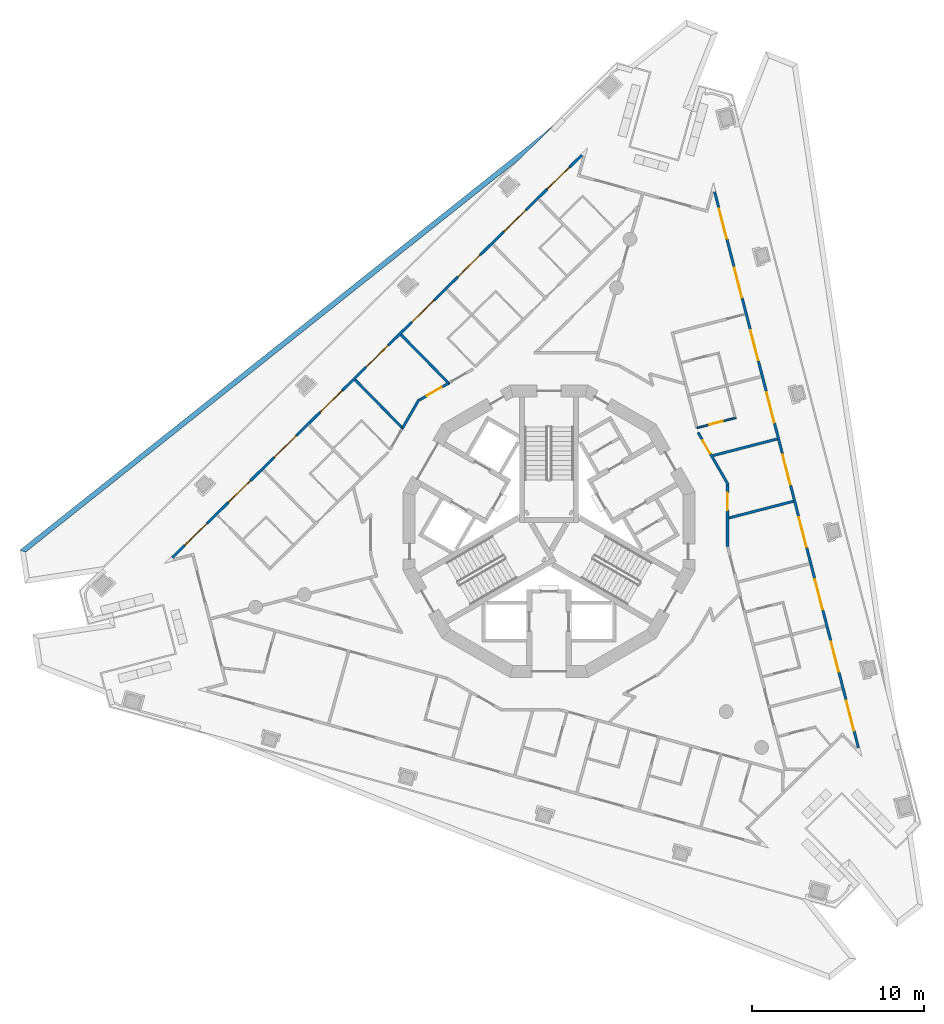
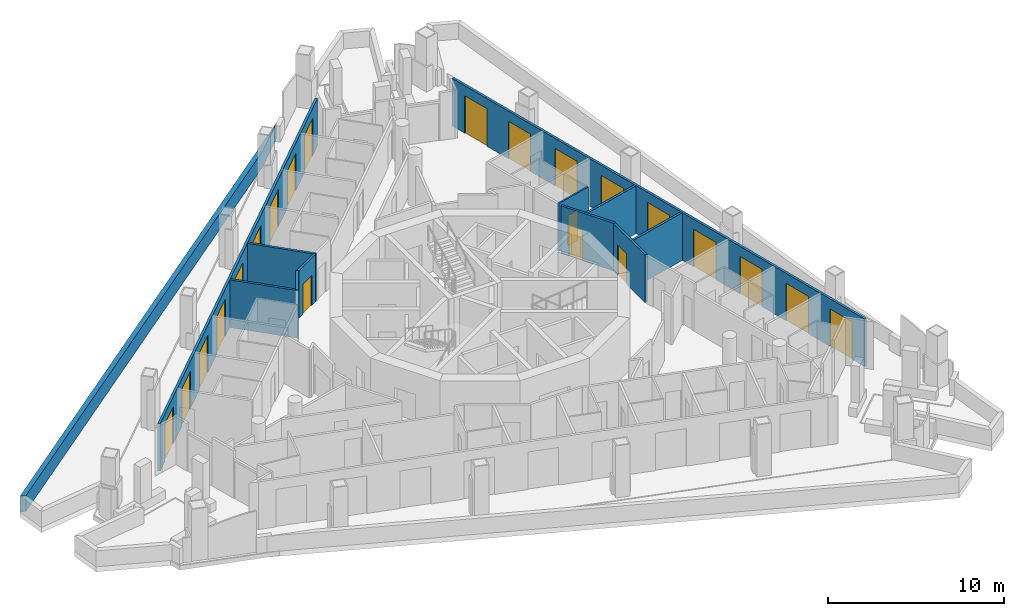
# One storey, part 7 of 14: 22 doors, 12 walls, 22 openings.
"""IFC4 building model written with IfcOpenShell, lengths in metres."""

from ifc_helpers import new_model, si_unit, direction, frame, frame_2d, origin, place, context, subcontext, project, spatial, polyline, rectangle, outline, extrude, material, layer, layer_set, type_object, element, fill, save


model = new_model("IFC4")

# Units and contexts
model_context = context("Model", 3, precision=1e-05, world=origin(), true_north=direction((0.0, 1.0)))
body_context = subcontext(model_context, "Body", "Model", "MODEL_VIEW")
ifc_project = project(units=[si_unit("LENGTHUNIT", "METRE"), si_unit("AREAUNIT", "SQUARE_METRE"), si_unit("VOLUMEUNIT", "CUBIC_METRE"), si_unit("PLANEANGLEUNIT", "RADIAN"), si_unit("MASSUNIT", "GRAM", prefix="KILO")], contexts=[model_context])

# Site, building, storey
site_placement = place(None, origin())
site = spatial("IfcSite", under=ifc_project, at=site_placement, CompositionType="ELEMENT")
building_placement = place(site_placement, origin())
building = spatial("IfcBuilding", under=site, at=building_placement, Name="Trine Commons Tower", CompositionType="ELEMENT")
storey_placement = place(building_placement, frame((0.0, 0.0, 234.89990234375)))
storey = spatial("IfcBuildingStorey", under=building, at=storey_placement, Name="L61", CompositionType="ELEMENT", Elevation=234.89990234375)

# Wall, openings, doors
ifc_material_1 = material(Name="Aluminium-framed insulated wall panel", Category="aluminium")
ifc_layer_1 = layer(ifc_material_1, 0.14990234375)
ifc_layer_set_1 = layer_set([ifc_layer_1], Name="Aluminium-framed insulated wall panel")
wall_type_1 = type_object("IfcWallType", Name="Glazed frame wall 150, EI 60", PredefinedType="SOLIDWALL", material=ifc_layer_set_1)
wall_1_placement = place(storey_placement, frame((57.98974609375, 60.867431640625, 0.0), z_axis=(0.0, 0.0, 1.0), x_axis=(0.713254682671, 0.700904956216, 0.0)))
wall_1 = element("IfcWall", 1, at=wall_1_placement, inside=storey, type_object=wall_type_1, Name="Glazed frame wall F1", PredefinedType="SOLIDWALL", context=body_context, shape_type="SweptSolid", body=[
    extrude(outline(polyline([(0.1494140625, 0.074951171875), (0.1494140625, -0.074951171875), (33.536865234375, -0.074951171875), (33.536865234375, 0.074951171875), (0.1494140625, 0.074951171875)])), origin(), (0.0, 0.0, 1.0), 3.300048828125),
])
opening_1_placement = place(wall_1_placement, frame((1.17138671875, 0.0, 0.0)))
opening_1 = element("IfcOpeningElement", 2, at=opening_1_placement, cuts=wall_1, Name="Opening BD-7F1-01", PredefinedType="OPENING", context=body_context, shape_type="SweptSolid", body=[
    extrude(rectangle(XDim=1.800048828125, YDim=2.60009765625, at=frame_2d((0.89990234375, 1.300048828125))), frame((0.0, 0.0849609375, 0.0), z_axis=(0.0, -1.0, 0.0), x_axis=(1.0, 0.0, 0.0)), (0.0, 0.0, 1.0), 0.169921875),
])
opening_2_placement = place(wall_1_placement, frame((4.71435546875, 0.0, 0.0)))
opening_2 = element("IfcOpeningElement", 3, at=opening_2_placement, cuts=wall_1, Name="Opening BD-7F1-02", PredefinedType="OPENING", context=body_context, shape_type="SweptSolid", body=[
    extrude(rectangle(XDim=1.800048828125, YDim=2.60009765625, at=frame_2d((0.89990234375, 1.300048828125))), frame((0.0, 0.0849609375, 0.0), z_axis=(0.0, -1.0, 0.0), x_axis=(1.0, 0.0, 0.0)), (0.0, 0.0, 1.0), 0.169921875),
])
opening_3_placement = place(wall_1_placement, frame((8.457275390625, 0.0, 0.0)))
opening_3 = element("IfcOpeningElement", 4, at=opening_3_placement, cuts=wall_1, Name="Opening BD-7F1-03", PredefinedType="OPENING", context=body_context, shape_type="SweptSolid", body=[
    extrude(rectangle(XDim=1.800048828125, YDim=2.60009765625, at=frame_2d((0.89990234375, 1.300048828125))), frame((0.0, 0.0849609375, 0.0), z_axis=(0.0, -1.0, 0.0), x_axis=(1.0, 0.0, 0.0)), (0.0, 0.0, 1.0), 0.169921875),
])
opening_4_placement = place(wall_1_placement, frame((12.2001953125, 0.0, 0.0)))
opening_4 = element("IfcOpeningElement", 5, at=opening_4_placement, cuts=wall_1, Name="Opening BD-7F1-04", PredefinedType="OPENING", context=body_context, shape_type="SweptSolid", body=[
    extrude(rectangle(XDim=1.800048828125, YDim=2.60009765625, at=frame_2d((0.89990234375, 1.300048828125))), frame((0.0, 0.0849609375, 0.0), z_axis=(0.0, -1.0, 0.0), x_axis=(1.0, 0.0, 0.0)), (0.0, 0.0, 1.0), 0.169921875),
])
opening_5_placement = place(wall_1_placement, frame((15.943115234375, 0.0, 0.0)))
opening_5 = element("IfcOpeningElement", 6, at=opening_5_placement, cuts=wall_1, Name="Opening BD-7F1-05", PredefinedType="OPENING", context=body_context, shape_type="SweptSolid", body=[
    extrude(rectangle(XDim=1.800048828125, YDim=2.60009765625, at=frame_2d((0.89990234375, 1.300048828125))), frame((0.0, 0.0849609375, 0.0), z_axis=(0.0, -1.0, 0.0), x_axis=(1.0, 0.0, 0.0)), (0.0, 0.0, 1.0), 0.169921875),
])
opening_6_placement = place(wall_1_placement, frame((19.68603515625, 0.0, 0.0)))
opening_6 = element("IfcOpeningElement", 7, at=opening_6_placement, cuts=wall_1, Name="Opening BD-7F1-06", PredefinedType="OPENING", context=body_context, shape_type="SweptSolid", body=[
    extrude(rectangle(XDim=1.800048828125, YDim=2.60009765625, at=frame_2d((0.89990234375, 1.300048828125))), frame((0.0, 0.0849609375, 0.0), z_axis=(0.0, -1.0, 0.0), x_axis=(1.0, 0.0, 0.0)), (0.0, 0.0, 1.0), 0.169921875),
])
opening_7_placement = place(wall_1_placement, frame((23.428955078125, 0.0, 0.0)))
opening_7 = element("IfcOpeningElement", 8, at=opening_7_placement, cuts=wall_1, Name="Opening BD-7F1-07", PredefinedType="OPENING", context=body_context, shape_type="SweptSolid", body=[
    extrude(rectangle(XDim=1.800048828125, YDim=2.60009765625, at=frame_2d((0.89990234375, 1.300048828125))), frame((0.0, 0.0849609375, 0.0), z_axis=(0.0, -1.0, 0.0), x_axis=(1.0, 0.0, 0.0)), (0.0, 0.0, 1.0), 0.169921875),
])
opening_8_placement = place(wall_1_placement, frame((27.171875, 0.0, 0.0)))
opening_8 = element("IfcOpeningElement", 9, at=opening_8_placement, cuts=wall_1, Name="Opening BD-7F1-08", PredefinedType="OPENING", context=body_context, shape_type="SweptSolid", body=[
    extrude(rectangle(XDim=1.800048828125, YDim=2.60009765625, at=frame_2d((0.89990234375, 1.300048828125))), frame((0.0, 0.0849609375, 0.0), z_axis=(0.0, -1.0, 0.0), x_axis=(1.0, 0.0, 0.0)), (0.0, 0.0, 1.0), 0.169921875),
])
opening_9_placement = place(wall_1_placement, frame((30.714599609375, 0.0, 0.0)))
opening_9 = element("IfcOpeningElement", 10, at=opening_9_placement, cuts=wall_1, Name="Opening BD-7F1-09", PredefinedType="OPENING", context=body_context, shape_type="SweptSolid", body=[
    extrude(rectangle(XDim=1.800048828125, YDim=2.60009765625, at=frame_2d((0.89990234375, 1.300048828125))), frame((0.0, 0.0849609375, 0.0), z_axis=(0.0, -1.0, 0.0), x_axis=(1.0, 0.0, 0.0)), (0.0, 0.0, 1.0), 0.169921875),
])
ifc_material_2 = material(Name="Anodised aluminium frame with double glazing", Category="aluminium")
door_type_1 = type_object("IfcDoorType", Name="Sliding loggia door 1800x2600", OperationType="SLIDING_TO_LEFT", PredefinedType="DOOR", material=ifc_material_2)
door_1_placement = place(opening_1_placement, origin())
door_1 = element("IfcDoor", 11, at=door_1_placement, inside=storey, type_object=door_type_1, Name="Loggia door F1 1", OperationType="SLIDING_TO_LEFT", OverallHeight=2.60009765625, OverallWidth=1.800048828125, PredefinedType="DOOR", context=body_context, shape_type="SweptSolid", body=[
    extrude(rectangle(XDim=1.800048828125, YDim=2.60009765625, at=frame_2d((0.89990234375, 1.300048828125))), frame((0.0, 0.02490234375, 0.0), z_axis=(0.0, -1.0, 0.0), x_axis=(1.0, 0.0, 0.0)), (0.0, 0.0, 1.0), 0.050048828125),
])
fill(opening_1, door_1)
door_2_placement = place(opening_2_placement, origin())
door_2 = element("IfcDoor", 12, at=door_2_placement, inside=storey, type_object=door_type_1, Name="Loggia door F1 2", OperationType="SLIDING_TO_LEFT", OverallHeight=2.60009765625, OverallWidth=1.800048828125, PredefinedType="DOOR", context=body_context, shape_type="SweptSolid", body=[
    extrude(rectangle(XDim=1.800048828125, YDim=2.60009765625, at=frame_2d((0.89990234375, 1.300048828125))), frame((0.0, 0.02490234375, 0.0), z_axis=(0.0, -1.0, 0.0), x_axis=(1.0, 0.0, 0.0)), (0.0, 0.0, 1.0), 0.050048828125),
])
fill(opening_2, door_2)
door_3_placement = place(opening_3_placement, origin())
door_3 = element("IfcDoor", 13, at=door_3_placement, inside=storey, type_object=door_type_1, Name="Loggia door F1 3", OperationType="SLIDING_TO_LEFT", OverallHeight=2.60009765625, OverallWidth=1.800048828125, PredefinedType="DOOR", context=body_context, shape_type="SweptSolid", body=[
    extrude(rectangle(XDim=1.800048828125, YDim=2.60009765625, at=frame_2d((0.89990234375, 1.300048828125))), frame((0.0, 0.02490234375, 0.0), z_axis=(0.0, -1.0, 0.0), x_axis=(1.0, 0.0, 0.0)), (0.0, 0.0, 1.0), 0.050048828125),
])
fill(opening_3, door_3)
door_4_placement = place(opening_4_placement, origin())
door_4 = element("IfcDoor", 14, at=door_4_placement, inside=storey, type_object=door_type_1, Name="Loggia door F1 4", OperationType="SLIDING_TO_LEFT", OverallHeight=2.60009765625, OverallWidth=1.800048828125, PredefinedType="DOOR", context=body_context, shape_type="SweptSolid", body=[
    extrude(rectangle(XDim=1.800048828125, YDim=2.60009765625, at=frame_2d((0.89990234375, 1.300048828125))), frame((0.0, 0.02490234375, 0.0), z_axis=(0.0, -1.0, 0.0), x_axis=(1.0, 0.0, 0.0)), (0.0, 0.0, 1.0), 0.050048828125),
])
fill(opening_4, door_4)
door_5_placement = place(opening_5_placement, origin())
door_5 = element("IfcDoor", 15, at=door_5_placement, inside=storey, type_object=door_type_1, Name="Loggia door F1 5", OperationType="SLIDING_TO_LEFT", OverallHeight=2.60009765625, OverallWidth=1.800048828125, PredefinedType="DOOR", context=body_context, shape_type="SweptSolid", body=[
    extrude(rectangle(XDim=1.800048828125, YDim=2.60009765625, at=frame_2d((0.89990234375, 1.300048828125))), frame((0.0, 0.02490234375, 0.0), z_axis=(0.0, -1.0, 0.0), x_axis=(1.0, 0.0, 0.0)), (0.0, 0.0, 1.0), 0.050048828125),
])
fill(opening_5, door_5)
door_6_placement = place(opening_6_placement, origin())
door_6 = element("IfcDoor", 16, at=door_6_placement, inside=storey, type_object=door_type_1, Name="Loggia door F1 6", OperationType="SLIDING_TO_LEFT", OverallHeight=2.60009765625, OverallWidth=1.800048828125, PredefinedType="DOOR", context=body_context, shape_type="SweptSolid", body=[
    extrude(rectangle(XDim=1.800048828125, YDim=2.60009765625, at=frame_2d((0.89990234375, 1.300048828125))), frame((0.0, 0.02490234375, 0.0), z_axis=(0.0, -1.0, 0.0), x_axis=(1.0, 0.0, 0.0)), (0.0, 0.0, 1.0), 0.050048828125),
])
fill(opening_6, door_6)
door_7_placement = place(opening_7_placement, origin())
door_7 = element("IfcDoor", 17, at=door_7_placement, inside=storey, type_object=door_type_1, Name="Loggia door F1 7", OperationType="SLIDING_TO_LEFT", OverallHeight=2.60009765625, OverallWidth=1.800048828125, PredefinedType="DOOR", context=body_context, shape_type="SweptSolid", body=[
    extrude(rectangle(XDim=1.800048828125, YDim=2.60009765625, at=frame_2d((0.89990234375, 1.300048828125))), frame((0.0, 0.02490234375, 0.0), z_axis=(0.0, -1.0, 0.0), x_axis=(1.0, 0.0, 0.0)), (0.0, 0.0, 1.0), 0.050048828125),
])
fill(opening_7, door_7)
door_8_placement = place(opening_8_placement, origin())
door_8 = element("IfcDoor", 18, at=door_8_placement, inside=storey, type_object=door_type_1, Name="Loggia door F1 8", OperationType="SLIDING_TO_LEFT", OverallHeight=2.60009765625, OverallWidth=1.800048828125, PredefinedType="DOOR", context=body_context, shape_type="SweptSolid", body=[
    extrude(rectangle(XDim=1.800048828125, YDim=2.60009765625, at=frame_2d((0.89990234375, 1.300048828125))), frame((0.0, 0.02490234375, 0.0), z_axis=(0.0, -1.0, 0.0), x_axis=(1.0, 0.0, 0.0)), (0.0, 0.0, 1.0), 0.050048828125),
])
fill(opening_8, door_8)
door_9_placement = place(opening_9_placement, origin())
door_9 = element("IfcDoor", 19, at=door_9_placement, inside=storey, type_object=door_type_1, Name="Loggia door F1 9", OperationType="SLIDING_TO_LEFT", OverallHeight=2.60009765625, OverallWidth=1.800048828125, PredefinedType="DOOR", context=body_context, shape_type="SweptSolid", body=[
    extrude(rectangle(XDim=1.800048828125, YDim=2.60009765625, at=frame_2d((0.89990234375, 1.300048828125))), frame((0.0, 0.02490234375, 0.0), z_axis=(0.0, -1.0, 0.0), x_axis=(1.0, 0.0, 0.0)), (0.0, 0.0, 1.0), 0.050048828125),
])
fill(opening_9, door_9)

wall_2_placement = place(storey_placement, frame((89.59130859375, 82.377685546875, 0.0), z_axis=(0.0, 0.0, 1.0), x_axis=(0.250378839788, -0.968147941477, 0.0)))
wall_2 = element("IfcWall", 20, at=wall_2_placement, inside=storey, type_object=wall_type_1, Name="Glazed frame wall F2", PredefinedType="SOLIDWALL", context=body_context, shape_type="SweptSolid", body=[
    extrude(outline(polyline([(0.1494140625, 0.074951171875), (0.1494140625, -0.074951171875), (33.536865234375, -0.074951171875), (33.536865234375, 0.074951171875), (0.1494140625, 0.074951171875)])), origin(), (0.0, 0.0, 1.0), 3.300048828125),
])
opening_10_placement = place(wall_2_placement, frame((1.17138671875, 0.0, 0.0)))
opening_10 = element("IfcOpeningElement", 21, at=opening_10_placement, cuts=wall_2, Name="Opening BD-7F2-01", PredefinedType="OPENING", context=body_context, shape_type="SweptSolid", body=[
    extrude(rectangle(XDim=1.800048828125, YDim=2.60009765625, at=frame_2d((0.89990234375, 1.300048828125))), frame((0.0, 0.0849609375, 0.0), z_axis=(0.0, -1.0, 0.0), x_axis=(1.0, 0.0, 0.0)), (0.0, 0.0, 1.0), 0.169921875),
])
opening_11_placement = place(wall_2_placement, frame((4.71435546875, 0.0, 0.0)))
opening_11 = element("IfcOpeningElement", 22, at=opening_11_placement, cuts=wall_2, Name="Opening BD-7F2-02", PredefinedType="OPENING", context=body_context, shape_type="SweptSolid", body=[
    extrude(rectangle(XDim=1.800048828125, YDim=2.60009765625, at=frame_2d((0.89990234375, 1.300048828125))), frame((0.0, 0.0849609375, 0.0), z_axis=(0.0, -1.0, 0.0), x_axis=(1.0, 0.0, 0.0)), (0.0, 0.0, 1.0), 0.169921875),
])
opening_12_placement = place(wall_2_placement, frame((8.457275390625, 0.0, 0.0)))
opening_12 = element("IfcOpeningElement", 23, at=opening_12_placement, cuts=wall_2, Name="Opening BD-7F2-03", PredefinedType="OPENING", context=body_context, shape_type="SweptSolid", body=[
    extrude(rectangle(XDim=1.800048828125, YDim=2.60009765625, at=frame_2d((0.89990234375, 1.300048828125))), frame((0.0, 0.0849609375, 0.0), z_axis=(0.0, -1.0, 0.0), x_axis=(1.0, 0.0, 0.0)), (0.0, 0.0, 1.0), 0.169921875),
])
opening_13_placement = place(wall_2_placement, frame((12.2001953125, 0.0, 0.0)))
opening_13 = element("IfcOpeningElement", 24, at=opening_13_placement, cuts=wall_2, Name="Opening BD-7F2-04", PredefinedType="OPENING", context=body_context, shape_type="SweptSolid", body=[
    extrude(rectangle(XDim=1.800048828125, YDim=2.60009765625, at=frame_2d((0.89990234375, 1.300048828125))), frame((0.0, 0.0849609375, 0.0), z_axis=(0.0, -1.0, 0.0), x_axis=(1.0, 0.0, 0.0)), (0.0, 0.0, 1.0), 0.169921875),
])
opening_14_placement = place(wall_2_placement, frame((15.943115234375, 0.0, 0.0)))
opening_14 = element("IfcOpeningElement", 25, at=opening_14_placement, cuts=wall_2, Name="Opening BD-7F2-05", PredefinedType="OPENING", context=body_context, shape_type="SweptSolid", body=[
    extrude(rectangle(XDim=1.800048828125, YDim=2.60009765625, at=frame_2d((0.89990234375, 1.300048828125))), frame((0.0, 0.0849609375, 0.0), z_axis=(0.0, -1.0, 0.0), x_axis=(1.0, 0.0, 0.0)), (0.0, 0.0, 1.0), 0.169921875),
])
opening_15_placement = place(wall_2_placement, frame((19.68603515625, 0.0, 0.0)))
opening_15 = element("IfcOpeningElement", 26, at=opening_15_placement, cuts=wall_2, Name="Opening BD-7F2-06", PredefinedType="OPENING", context=body_context, shape_type="SweptSolid", body=[
    extrude(rectangle(XDim=1.800048828125, YDim=2.60009765625, at=frame_2d((0.89990234375, 1.300048828125))), frame((0.0, 0.0849609375, 0.0), z_axis=(0.0, -1.0, 0.0), x_axis=(1.0, 0.0, 0.0)), (0.0, 0.0, 1.0), 0.169921875),
])
opening_16_placement = place(wall_2_placement, frame((23.428955078125, 0.0, 0.0)))
opening_16 = element("IfcOpeningElement", 27, at=opening_16_placement, cuts=wall_2, Name="Opening BD-7F2-07", PredefinedType="OPENING", context=body_context, shape_type="SweptSolid", body=[
    extrude(rectangle(XDim=1.800048828125, YDim=2.60009765625, at=frame_2d((0.89990234375, 1.300048828125))), frame((0.0, 0.0849609375, 0.0), z_axis=(0.0, -1.0, 0.0), x_axis=(1.0, 0.0, 0.0)), (0.0, 0.0, 1.0), 0.169921875),
])
opening_17_placement = place(wall_2_placement, frame((27.171875, 0.0, 0.0)))
opening_17 = element("IfcOpeningElement", 28, at=opening_17_placement, cuts=wall_2, Name="Opening BD-7F2-08", PredefinedType="OPENING", context=body_context, shape_type="SweptSolid", body=[
    extrude(rectangle(XDim=1.800048828125, YDim=2.60009765625, at=frame_2d((0.89990234375, 1.300048828125))), frame((0.0, 0.0849609375, 0.0), z_axis=(0.0, -1.0, 0.0), x_axis=(1.0, 0.0, 0.0)), (0.0, 0.0, 1.0), 0.169921875),
])
opening_18_placement = place(wall_2_placement, frame((30.714599609375, 0.0, 0.0)))
opening_18 = element("IfcOpeningElement", 29, at=opening_18_placement, cuts=wall_2, Name="Opening BD-7F2-09", PredefinedType="OPENING", context=body_context, shape_type="SweptSolid", body=[
    extrude(rectangle(XDim=1.800048828125, YDim=2.60009765625, at=frame_2d((0.89990234375, 1.300048828125))), frame((0.0, 0.0849609375, 0.0), z_axis=(0.0, -1.0, 0.0), x_axis=(1.0, 0.0, 0.0)), (0.0, 0.0, 1.0), 0.169921875),
])
door_10_placement = place(opening_10_placement, origin())
door_10 = element("IfcDoor", 30, at=door_10_placement, inside=storey, type_object=door_type_1, Name="Loggia door F2 1", OperationType="SLIDING_TO_LEFT", OverallHeight=2.60009765625, OverallWidth=1.800048828125, PredefinedType="DOOR", context=body_context, shape_type="SweptSolid", body=[
    extrude(rectangle(XDim=1.800048828125, YDim=2.60009765625, at=frame_2d((0.89990234375, 1.300048828125))), frame((0.0, 0.02490234375, 0.0), z_axis=(0.0, -1.0, 0.0), x_axis=(1.0, 0.0, 0.0)), (0.0, 0.0, 1.0), 0.050048828125),
])
fill(opening_10, door_10)
door_11_placement = place(opening_11_placement, origin())
door_11 = element("IfcDoor", 31, at=door_11_placement, inside=storey, type_object=door_type_1, Name="Loggia door F2 2", OperationType="SLIDING_TO_LEFT", OverallHeight=2.60009765625, OverallWidth=1.800048828125, PredefinedType="DOOR", context=body_context, shape_type="SweptSolid", body=[
    extrude(rectangle(XDim=1.800048828125, YDim=2.60009765625, at=frame_2d((0.89990234375, 1.300048828125))), frame((0.0, 0.02490234375, 0.0), z_axis=(0.0, -1.0, 0.0), x_axis=(1.0, 0.0, 0.0)), (0.0, 0.0, 1.0), 0.050048828125),
])
fill(opening_11, door_11)
door_12_placement = place(opening_12_placement, origin())
door_12 = element("IfcDoor", 32, at=door_12_placement, inside=storey, type_object=door_type_1, Name="Loggia door F2 3", OperationType="SLIDING_TO_LEFT", OverallHeight=2.60009765625, OverallWidth=1.800048828125, PredefinedType="DOOR", context=body_context, shape_type="SweptSolid", body=[
    extrude(rectangle(XDim=1.800048828125, YDim=2.60009765625, at=frame_2d((0.89990234375, 1.300048828125))), frame((0.0, 0.02490234375, 0.0), z_axis=(0.0, -1.0, 0.0), x_axis=(1.0, 0.0, 0.0)), (0.0, 0.0, 1.0), 0.050048828125),
])
fill(opening_12, door_12)
door_13_placement = place(opening_13_placement, origin())
door_13 = element("IfcDoor", 33, at=door_13_placement, inside=storey, type_object=door_type_1, Name="Loggia door F2 4", OperationType="SLIDING_TO_LEFT", OverallHeight=2.60009765625, OverallWidth=1.800048828125, PredefinedType="DOOR", context=body_context, shape_type="SweptSolid", body=[
    extrude(rectangle(XDim=1.800048828125, YDim=2.60009765625, at=frame_2d((0.89990234375, 1.300048828125))), frame((0.0, 0.02490234375, 0.0), z_axis=(0.0, -1.0, 0.0), x_axis=(1.0, 0.0, 0.0)), (0.0, 0.0, 1.0), 0.050048828125),
])
fill(opening_13, door_13)
door_14_placement = place(opening_14_placement, origin())
door_14 = element("IfcDoor", 34, at=door_14_placement, inside=storey, type_object=door_type_1, Name="Loggia door F2 5", OperationType="SLIDING_TO_LEFT", OverallHeight=2.60009765625, OverallWidth=1.800048828125, PredefinedType="DOOR", context=body_context, shape_type="SweptSolid", body=[
    extrude(rectangle(XDim=1.800048828125, YDim=2.60009765625, at=frame_2d((0.89990234375, 1.300048828125))), frame((0.0, 0.02490234375, 0.0), z_axis=(0.0, -1.0, 0.0), x_axis=(1.0, 0.0, 0.0)), (0.0, 0.0, 1.0), 0.050048828125),
])
fill(opening_14, door_14)
door_15_placement = place(opening_15_placement, origin())
door_15 = element("IfcDoor", 35, at=door_15_placement, inside=storey, type_object=door_type_1, Name="Loggia door F2 6", OperationType="SLIDING_TO_LEFT", OverallHeight=2.60009765625, OverallWidth=1.800048828125, PredefinedType="DOOR", context=body_context, shape_type="SweptSolid", body=[
    extrude(rectangle(XDim=1.800048828125, YDim=2.60009765625, at=frame_2d((0.89990234375, 1.300048828125))), frame((0.0, 0.02490234375, 0.0), z_axis=(0.0, -1.0, 0.0), x_axis=(1.0, 0.0, 0.0)), (0.0, 0.0, 1.0), 0.050048828125),
])
fill(opening_15, door_15)
door_16_placement = place(opening_16_placement, origin())
door_16 = element("IfcDoor", 36, at=door_16_placement, inside=storey, type_object=door_type_1, Name="Loggia door F2 7", OperationType="SLIDING_TO_LEFT", OverallHeight=2.60009765625, OverallWidth=1.800048828125, PredefinedType="DOOR", context=body_context, shape_type="SweptSolid", body=[
    extrude(rectangle(XDim=1.800048828125, YDim=2.60009765625, at=frame_2d((0.89990234375, 1.300048828125))), frame((0.0, 0.02490234375, 0.0), z_axis=(0.0, -1.0, 0.0), x_axis=(1.0, 0.0, 0.0)), (0.0, 0.0, 1.0), 0.050048828125),
])
fill(opening_16, door_16)
door_17_placement = place(opening_17_placement, origin())
door_17 = element("IfcDoor", 37, at=door_17_placement, inside=storey, type_object=door_type_1, Name="Loggia door F2 8", OperationType="SLIDING_TO_LEFT", OverallHeight=2.60009765625, OverallWidth=1.800048828125, PredefinedType="DOOR", context=body_context, shape_type="SweptSolid", body=[
    extrude(rectangle(XDim=1.800048828125, YDim=2.60009765625, at=frame_2d((0.89990234375, 1.300048828125))), frame((0.0, 0.02490234375, 0.0), z_axis=(0.0, -1.0, 0.0), x_axis=(1.0, 0.0, 0.0)), (0.0, 0.0, 1.0), 0.050048828125),
])
fill(opening_17, door_17)
door_18_placement = place(opening_18_placement, origin())
door_18 = element("IfcDoor", 38, at=door_18_placement, inside=storey, type_object=door_type_1, Name="Loggia door F2 9", OperationType="SLIDING_TO_LEFT", OverallHeight=2.60009765625, OverallWidth=1.800048828125, PredefinedType="DOOR", context=body_context, shape_type="SweptSolid", body=[
    extrude(rectangle(XDim=1.800048828125, YDim=2.60009765625, at=frame_2d((0.89990234375, 1.300048828125))), frame((0.0, 0.02490234375, 0.0), z_axis=(0.0, -1.0, 0.0), x_axis=(1.0, 0.0, 0.0)), (0.0, 0.0, 1.0), 0.050048828125),
])
fill(opening_18, door_18)

# Walls
ifc_material_3 = material(Name="Limestone, honed", Category="masonry")
ifc_layer_2 = layer(ifc_material_3, 0.300048828125)
ifc_layer_set_2 = layer_set([ifc_layer_2], Name="Limestone, honed")
wall_type_2 = type_object("IfcWallType", Name="Stone parapet 300", PredefinedType="PARAPET", material=ifc_layer_set_2)
wall_3_placement = place(storey_placement, origin())
element("IfcWall", 39, at=wall_3_placement, inside=storey, type_object=wall_type_2, Name="Sliver roof parapet L60 2.1", PredefinedType="PARAPET", context=body_context, shape_type="SweptSolid", body=[
    extrude(outline(polyline([(80.31298828125, 86.1201171875), (49.242919921875, 61.406005859375), (49.565185546875, 61.27880859375), (78.26611328125, 84.1083984375), (80.31298828125, 86.1201171875)])), origin(), (0.0, 0.0, 1.0), 1.10009765625),
])
ifc_material_4 = material(Name="Gypsum plasterboard on steel stud", Category="steel")
ifc_layer_3 = layer(ifc_material_4, 0.14990234375)
ifc_layer_set_3 = layer_set([ifc_layer_3], Name="Gypsum plasterboard on steel stud")
wall_type_3 = type_object("IfcWallType", Name="Unit and corridor wall 150 mm, EI 60", PredefinedType="PARTITIONING", material=ifc_layer_set_3)
wall_4_placement = place(storey_placement, frame((68.720947265625, 71.3076171875, 0.0), z_axis=(0.0, 0.0, 1.0), x_axis=(0.700815785944, -0.713342298039, 0.0)))
element("IfcWall", 40, at=wall_4_placement, inside=storey, type_object=wall_type_3, Name="Partition 021", PredefinedType="PARTITIONING", context=body_context, shape_type="SweptSolid", body=[
    extrude(rectangle(XDim=4.014892578125, YDim=0.14990234375, at=frame_2d((2.00732421875, 0.0))), origin(), (0.0, 0.0, 1.0), 3.300048828125),
])
wall_5_placement = place(storey_placement, frame((71.389892578125, 73.931396484375, 0.0), z_axis=(0.0, 0.0, 1.0), x_axis=(0.700963396894, -0.713197249164, 0.0)))
element("IfcWall", 41, at=wall_5_placement, inside=storey, type_object=wall_type_3, Name="Partition 030", PredefinedType="PARTITIONING", context=body_context, shape_type="SweptSolid", body=[
    extrude(rectangle(XDim=4.03125, YDim=0.14990234375, at=frame_2d((2.015625, 0.0))), origin(), (0.0, 0.0, 1.0), 3.300048828125),
])
wall_6_placement = place(storey_placement, frame((71.47998046875, 68.493896484375, 0.0), z_axis=(0.0, 0.0, 1.0), x_axis=(0.500205717672, 0.865906600049, 0.0)))
element("IfcWall", 42, at=wall_6_placement, inside=storey, type_object=wall_type_3, Name="Partition 031", PredefinedType="PARTITIONING", context=body_context, shape_type="SweptSolid", body=[
    extrude(rectangle(XDim=1.924072265625, YDim=0.14990234375, at=frame_2d((0.9619140625, 0.0))), origin(), (0.0, 0.0, 1.0), 3.300048828125),
])

# Wall, opening, door
wall_7_placement = place(storey_placement, frame((72.469970703125, 70.132568359375, 0.0), z_axis=(0.0, 0.0, 1.0), x_axis=(0.865963449651, 0.500107292357, 0.0)))
wall_7 = element("IfcWall", 43, at=wall_7_placement, inside=storey, type_object=wall_type_3, Name="Partition 032", PredefinedType="PARTITIONING", context=body_context, shape_type="SweptSolid", body=[
    extrude(rectangle(XDim=1.95849609375, YDim=0.14990234375, at=frame_2d((0.979248046875, 0.0))), origin(), (0.0, 0.0, 1.0), 3.300048828125),
])
opening_19_placement = place(wall_7_placement, frame((0.4775390625, 0.0, 0.0)))
opening_19 = element("IfcOpeningElement", 44, at=opening_19_placement, cuts=wall_7, Name="Opening D-7A07", PredefinedType="OPENING", context=body_context, shape_type="SweptSolid", body=[
    extrude(rectangle(XDim=1.0, YDim=2.10009765625, at=frame_2d((0.5, 1.050048828125))), frame((0.0, 0.0849609375, 0.0), z_axis=(0.0, -1.0, 0.0), x_axis=(1.0, 0.0, 0.0)), (0.0, 0.0, 1.0), 0.169921875),
])
ifc_material_5 = material(Name="Painted timber", Category="wood")
door_type_2 = type_object("IfcDoorType", Name="Amenity room door 1000 x 2100, NOT RATED", OperationType="NOTDEFINED", PredefinedType="DOOR", material=ifc_material_5)
door_19_placement = place(opening_19_placement, origin())
door_19 = element("IfcDoor", 45, at=door_19_placement, inside=storey, type_object=door_type_2, Name="Door D-7A07", OperationType="SINGLE_SWING_LEFT", OverallHeight=2.10009765625, OverallWidth=1.0, PredefinedType="DOOR", context=body_context, shape_type="SweptSolid", body=[
    extrude(rectangle(XDim=1.0, YDim=2.10009765625, at=frame_2d((0.5, 1.050048828125))), frame((0.0, 0.02490234375, 0.0), z_axis=(0.0, -1.0, 0.0), x_axis=(1.0, 0.0, 0.0)), (0.0, 0.0, 1.0), 0.050048828125),
])
fill(opening_19, door_19)

wall_8_placement = place(storey_placement, frame((88.659912109375, 68.2490234375, 0.0), z_axis=(0.0, 0.0, 1.0), x_axis=(0.500223035479, -0.865896595891, 0.0)))
wall_8 = element("IfcWall", 46, at=wall_8_placement, inside=storey, type_object=wall_type_3, Name="Partition 089", PredefinedType="PARTITIONING", context=body_context, shape_type="SweptSolid", body=[
    extrude(rectangle(XDim=3.50390625, YDim=0.14990234375, at=frame_2d((1.751953125, 0.0))), origin(), (0.0, 0.0, 1.0), 3.300048828125),
])
opening_20_placement = place(wall_8_placement, frame((0.53369140625, 0.0, 0.0)))
opening_20 = element("IfcOpeningElement", 47, at=opening_20_placement, cuts=wall_8, Name="Opening D-7A13", PredefinedType="OPENING", context=body_context, shape_type="SweptSolid", body=[
    extrude(rectangle(XDim=0.89990234375, YDim=2.10009765625, at=frame_2d((0.449951171875, 1.050048828125))), frame((0.0, 0.0849609375, 0.0), z_axis=(0.0, -1.0, 0.0), x_axis=(1.0, 0.0, 0.0)), (0.0, 0.0, 1.0), 0.169921875),
])
ifc_material_6 = material(Name="Timber fire door set", Category="wood")
door_type_3 = type_object("IfcDoorType", Name="Bedroom door 900 x 2100, FD30S", OperationType="NOTDEFINED", PredefinedType="DOOR", material=ifc_material_6)
door_20_placement = place(opening_20_placement, origin())
door_20 = element("IfcDoor", 48, at=door_20_placement, inside=storey, type_object=door_type_3, Name="Door D-7A13", OperationType="SINGLE_SWING_LEFT", OverallHeight=2.10009765625, OverallWidth=0.89990234375, PredefinedType="DOOR", context=body_context, shape_type="SweptSolid", body=[
    extrude(rectangle(XDim=0.89990234375, YDim=2.10009765625, at=frame_2d((0.449951171875, 1.050048828125))), frame((0.0, 0.02490234375, 0.0), z_axis=(0.0, -1.0, 0.0), x_axis=(1.0, 0.0, 0.0)), (0.0, 0.0, 1.0), 0.050048828125),
])
fill(opening_20, door_20)

# Wall
wall_9_placement = place(storey_placement, frame((89.525634765625, 66.896728515625, 0.0), z_axis=(0.0, 0.0, 1.0), x_axis=(0.968171724996, 0.250286857264, 0.0)))
element("IfcWall", 49, at=wall_9_placement, inside=storey, type_object=wall_type_3, Name="Partition 092", PredefinedType="PARTITIONING", context=body_context, shape_type="SweptSolid", body=[
    extrude(rectangle(XDim=3.86474609375, YDim=0.14990234375, at=frame_2d((1.932373046875, 0.0))), origin(), (0.0, 0.0, 1.0), 3.300048828125),
])

# Wall, opening, door
wall_10_placement = place(storey_placement, frame((90.375, 61.616943359375, 0.0), z_axis=(0.0, 0.0, 1.0), x_axis=(0.0, 1.0, 0.0)))
wall_10 = element("IfcWall", 50, at=wall_10_placement, inside=storey, type_object=wall_type_3, Name="Partition 097", PredefinedType="PARTITIONING", context=body_context, shape_type="SweptSolid", body=[
    extrude(rectangle(XDim=3.588134765625, YDim=0.14990234375, at=frame_2d((1.7939453125, 0.0))), origin(), (0.0, 0.0, 1.0), 3.300048828125),
])
opening_21_placement = place(wall_10_placement, frame((2.110595703125, 0.0, 0.0)))
opening_21 = element("IfcOpeningElement", 51, at=opening_21_placement, cuts=wall_10, Name="Opening D-7A14", PredefinedType="OPENING", context=body_context, shape_type="SweptSolid", body=[
    extrude(rectangle(XDim=1.0, YDim=2.10009765625, at=frame_2d((0.5, 1.050048828125))), frame((0.0, 0.0849609375, 0.0), z_axis=(0.0, -1.0, 0.0), x_axis=(1.0, 0.0, 0.0)), (0.0, 0.0, 1.0), 0.169921875),
])
door_21_placement = place(opening_21_placement, frame((1.0, 0.0, 0.0), z_axis=(0.0, 0.0, 1.0), x_axis=(-1.0, 0.0, 0.0)))
door_21 = element("IfcDoor", 52, at=door_21_placement, inside=storey, type_object=door_type_2, Name="Door D-7A14", OperationType="SINGLE_SWING_LEFT", OverallHeight=2.10009765625, OverallWidth=1.0, PredefinedType="DOOR", context=body_context, shape_type="SweptSolid", body=[
    extrude(rectangle(XDim=1.0, YDim=2.10009765625, at=frame_2d((0.5, 1.050048828125))), frame((0.0, 0.02490234375, 0.0), z_axis=(0.0, -1.0, 0.0), x_axis=(1.0, 0.0, 0.0)), (0.0, 0.0, 1.0), 0.050048828125),
])
fill(opening_21, door_21)

# Wall
wall_11_placement = place(storey_placement, frame((90.447509765625, 63.268798828125, 0.0), z_axis=(0.0, 0.0, 1.0), x_axis=(0.968111141553, 0.250521092128, 0.0)))
element("IfcWall", 53, at=wall_11_placement, inside=storey, type_object=wall_type_3, Name="Partition 098", PredefinedType="PARTITIONING", context=body_context, shape_type="SweptSolid", body=[
    extrude(rectangle(XDim=3.880615234375, YDim=0.14990234375, at=frame_2d((1.9404296875, 0.0))), origin(), (0.0, 0.0, 1.0), 3.300048828125),
])

# Wall, opening, door
ifc_layer_4 = layer(ifc_material_4, 0.10009765625)
ifc_layer_set_4 = layer_set([ifc_layer_4], Name="Gypsum plasterboard on steel stud")
wall_type_4 = type_object("IfcWallType", Name="Unit partition 100 mm, no rating", PredefinedType="PARTITIONING", material=ifc_layer_set_4)
wall_12_placement = place(storey_placement, frame((88.596923828125, 68.508056640625, 0.0), z_axis=(0.0, 0.0, 1.0), x_axis=(0.968155594174, 0.250349246991, 0.0)))
wall_12 = element("IfcWall", 54, at=wall_12_placement, inside=storey, type_object=wall_type_4, Name="Partition 088", PredefinedType="PARTITIONING", context=body_context, shape_type="SweptSolid", body=[
    extrude(rectangle(XDim=2.350341796875, YDim=0.10009765625, at=frame_2d((1.17529296875, 0.0))), origin(), (0.0, 0.0, 1.0), 3.300048828125),
])
opening_22_placement = place(wall_12_placement, frame((0.75, 0.0, 0.0)))
opening_22 = element("IfcOpeningElement", 55, at=opening_22_placement, cuts=wall_12, Name="Opening D-7A36", PredefinedType="OPENING", context=body_context, shape_type="SweptSolid", body=[
    extrude(rectangle(XDim=0.800048828125, YDim=2.10009765625, at=frame_2d((0.39990234375, 1.050048828125))), frame((0.0, 0.06005859375, 0.0), z_axis=(0.0, -1.0, 0.0), x_axis=(1.0, 0.0, 0.0)), (0.0, 0.0, 1.0), 0.1201171875),
])
door_type_4 = type_object("IfcDoorType", Name="Internal door 800 x 2100, NOT RATED", OperationType="NOTDEFINED", PredefinedType="DOOR", material=ifc_material_5)
door_22_placement = place(opening_22_placement, frame((0.800048828125, 0.0, 0.0), z_axis=(0.0, 0.0, 1.0), x_axis=(-1.0, 0.0, 0.0)))
door_22 = element("IfcDoor", 56, at=door_22_placement, inside=storey, type_object=door_type_4, Name="Door D-7A36", OperationType="SINGLE_SWING_RIGHT", OverallHeight=2.10009765625, OverallWidth=0.800048828125, PredefinedType="DOOR", context=body_context, shape_type="SweptSolid", body=[
    extrude(rectangle(XDim=0.800048828125, YDim=2.10009765625, at=frame_2d((0.39990234375, 1.050048828125))), frame((0.0, 0.02490234375, 0.0), z_axis=(0.0, -1.0, 0.0), x_axis=(1.0, 0.0, 0.0)), (0.0, 0.0, 1.0), 0.050048828125),
])
fill(opening_22, door_22)

save(model, "model.ifc")
